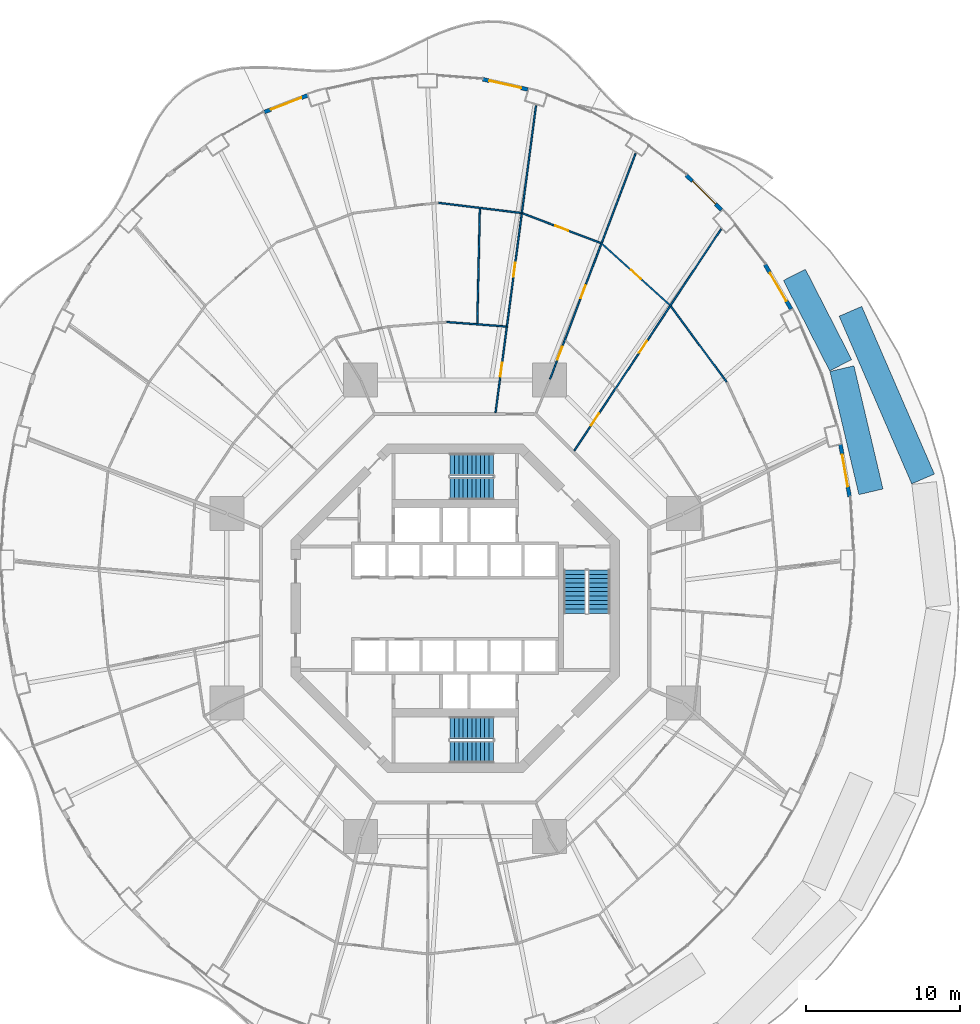
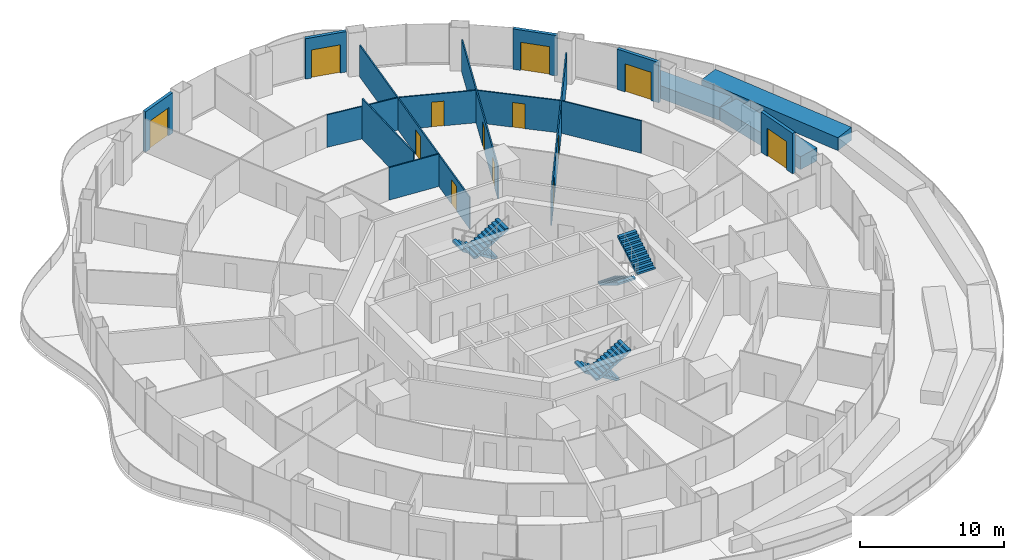
# One storey, part 19 of 22: 17 walls, 13 doors, 6 stair flights, 13 openings, 3 elements without a shape of their own.
"""IFC4 building model written with IfcOpenShell, lengths in metres."""

from ifc_helpers import new_model, si_unit, direction, frame, frame_2d, origin, place, context, subcontext, project, spatial, polyline, rectangle, outline, extrude, material, layer, layer_set, type_object, element, fill, aggregate, save


model = new_model("IFC4")

# Units and contexts
model_context = context("Model", 3, precision=1e-05, world=origin(), true_north=direction((0.0, 1.0)))
body_context = subcontext(model_context, "Body", "Model", "MODEL_VIEW")
ifc_project = project(units=[si_unit("LENGTHUNIT", "METRE"), si_unit("AREAUNIT", "SQUARE_METRE"), si_unit("VOLUMEUNIT", "CUBIC_METRE"), si_unit("PLANEANGLEUNIT", "RADIAN"), si_unit("MASSUNIT", "GRAM", prefix="KILO")], contexts=[model_context])

# Site, building, storey
site_placement = place(None, origin())
site = spatial("IfcSite", under=ifc_project, at=site_placement, CompositionType="ELEMENT")
building_placement = place(site_placement, origin())
building = spatial("IfcBuilding", under=site, at=building_placement, Name="Nagisa Residences", CompositionType="ELEMENT")
storey_placement = place(building_placement, frame((0.0, 0.0, 73.300048828125)))
storey = spatial("IfcBuildingStorey", under=building, at=storey_placement, Name="L17", CompositionType="ELEMENT", Elevation=73.300048828125)

# Wall
ifc_material_1 = material(Name="Gypsum board on steel studs", Category="steel")
ifc_layer_1 = layer(ifc_material_1, 0.10009765625)
ifc_layer_set_1 = layer_set([ifc_layer_1], Name="Apartment partition 100")
wall_type_1 = type_object("IfcWallType", Name="Apartment partition 100", PredefinedType="PARTITIONING", material=ifc_layer_set_1)
wall_1_placement = place(storey_placement, frame((17.567138671875, 14.65283203125, 0.0), z_axis=(0.0, 0.0, 1.0), x_axis=(-0.592391983588, 0.80564988536, 0.0)))
element("IfcWall", 1, at=wall_1_placement, inside=storey, type_object=wall_type_1, Name="wall:L17:u24", PredefinedType="PARTITIONING", context=body_context, shape_type="SweptSolid", body=[
    extrude(rectangle(XDim=6.080078125, YDim=0.10009765625, at=frame_2d((3.0400390625, 0.0))), origin(), (0.0, 0.0, 1.0), 2.761962890625),
])

# Wall, openings, doors
wall_2_placement = place(storey_placement, frame((7.713134765625, 10.19482421875, 0.0), z_axis=(0.0, 0.0, 1.0), x_axis=(0.552111071171, 0.833770571015, 0.0)))
wall_2 = element("IfcWall", 2, at=wall_2_placement, inside=storey, type_object=wall_type_1, Name="wall:L17:u25", PredefinedType="PARTITIONING", context=body_context, shape_type="SweptSolid", body=[
    extrude(rectangle(XDim=17.20849609375, YDim=0.10009765625, at=frame_2d((8.604248046875, 0.0))), origin(), (0.0, 0.0, 1.0), 2.68701171875),
])
opening_1_placement = place(wall_2_placement, frame((1.975830078125, 0.0, 0.0)))
opening_1 = element("IfcOpeningElement", 3, at=opening_1_placement, cuts=wall_2, Name="Opening L17-U19", PredefinedType="OPENING", context=body_context, shape_type="SweptSolid", body=[
    extrude(rectangle(XDim=0.89990234375, YDim=2.10009765625, at=frame_2d((0.449951171875, 1.050048828125))), frame((0.0, 0.06005859375, 0.0), z_axis=(0.0, -1.0, 0.0), x_axis=(1.0, 0.0, 0.0)), (0.0, 0.0, 1.0), 0.1201171875),
])
opening_2_placement = place(wall_2_placement, frame((7.611083984375, 0.0, 0.0)))
opening_2 = element("IfcOpeningElement", 4, at=opening_2_placement, cuts=wall_2, Name="Opening L17-U20", PredefinedType="OPENING", context=body_context, shape_type="SweptSolid", body=[
    extrude(rectangle(XDim=0.89990234375, YDim=2.10009765625, at=frame_2d((0.449951171875, 1.050048828125))), frame((0.0, 0.06005859375, 0.0), z_axis=(0.0, -1.0, 0.0), x_axis=(1.0, 0.0, 0.0)), (0.0, 0.0, 1.0), 0.1201171875),
])
ifc_material_2 = material(Name="Timber door set", Category="wood")
door_type_1 = type_object("IfcDoorType", Name="Apartment door 900x2100", OperationType="NOTDEFINED", PredefinedType="DOOR", material=ifc_material_2)
door_1_placement = place(opening_1_placement, frame((0.89990234375, 0.0, 0.0), x_axis=(-1.0, 0.0, 0.0)))
door_1 = element("IfcDoor", 5, at=door_1_placement, inside=storey, type_object=door_type_1, Name="Door to laundry, Apartment 17A", OperationType="SINGLE_SWING_RIGHT", OverallHeight=2.10009765625, OverallWidth=0.89990234375, PredefinedType="DOOR", context=body_context, shape_type="SweptSolid", body=[
    extrude(rectangle(XDim=0.89990234375, YDim=2.10009765625, at=frame_2d((0.449951171875, 1.050048828125))), frame((0.0, 0.02490234375, 0.0), z_axis=(0.0, -1.0, 0.0), x_axis=(1.0, 0.0, 0.0)), (0.0, 0.0, 1.0), 0.050048828125),
])
fill(opening_1, door_1)
door_2_placement = place(opening_2_placement, frame((0.89990234375, 0.0, 0.0), x_axis=(-1.0, 0.0, 0.0)))
door_2 = element("IfcDoor", 6, at=door_2_placement, inside=storey, type_object=door_type_1, Name="Door to dining room, Apartment 17A", OperationType="SINGLE_SWING_LEFT", OverallHeight=2.10009765625, OverallWidth=0.89990234375, PredefinedType="DOOR", context=body_context, shape_type="SweptSolid", body=[
    extrude(rectangle(XDim=0.89990234375, YDim=2.10009765625, at=frame_2d((0.449951171875, 1.050048828125))), frame((0.0, 0.02490234375, 0.0), z_axis=(0.0, -1.0, 0.0), x_axis=(1.0, 0.0, 0.0)), (0.0, 0.0, 1.0), 0.050048828125),
])
fill(opening_2, door_2)

# Wall, opening, door
wall_3_placement = place(storey_placement, frame((13.8984375, 19.625244140625, 0.0), z_axis=(0.0, 0.0, 1.0), x_axis=(-0.742400132046, 0.669956747812, 0.0)))
wall_3 = element("IfcWall", 7, at=wall_3_placement, inside=storey, type_object=wall_type_1, Name="wall:L17:u27", PredefinedType="PARTITIONING", context=body_context, shape_type="SweptSolid", body=[
    extrude(rectangle(XDim=5.9111328125, YDim=0.10009765625, at=frame_2d((2.95556640625, 0.0))), origin(), (0.0, 0.0, 1.0), 2.761962890625),
])
opening_3_placement = place(wall_3_placement, frame((2.505615234375, 0.0, 0.0)))
opening_3 = element("IfcOpeningElement", 8, at=opening_3_placement, cuts=wall_3, Name="Opening L17-U12", PredefinedType="OPENING", context=body_context, shape_type="SweptSolid", body=[
    extrude(rectangle(XDim=0.89990234375, YDim=2.10009765625, at=frame_2d((0.449951171875, 1.050048828125))), frame((0.0, 0.06005859375, 0.0), z_axis=(0.0, -1.0, 0.0), x_axis=(1.0, 0.0, 0.0)), (0.0, 0.0, 1.0), 0.1201171875),
])
door_3_placement = place(opening_3_placement, frame((0.89990234375, 0.0, 0.0), x_axis=(-1.0, 0.0, 0.0)))
door_3 = element("IfcDoor", 9, at=door_3_placement, inside=storey, type_object=door_type_1, Name="Door to master bedroom, Apartment 17A", OperationType="SINGLE_SWING_LEFT", OverallHeight=2.10009765625, OverallWidth=0.89990234375, PredefinedType="DOOR", context=body_context, shape_type="SweptSolid", body=[
    extrude(rectangle(XDim=0.89990234375, YDim=2.10009765625, at=frame_2d((0.449951171875, 1.050048828125))), frame((0.0, 0.02490234375, 0.0), z_axis=(0.0, -1.0, 0.0), x_axis=(1.0, 0.0, 0.0)), (0.0, 0.0, 1.0), 0.050048828125),
])
fill(opening_3, door_3)

# Wall, openings, doors
wall_4_placement = place(storey_placement, frame((6.140625, 14.828857421875, 0.0), z_axis=(0.0, 0.0, 1.0), x_axis=(0.354477134193, 0.935064682968, 0.0)))
wall_4 = element("IfcWall", 10, at=wall_4_placement, inside=storey, type_object=wall_type_1, Name="wall:L17:u29", PredefinedType="PARTITIONING", context=body_context, shape_type="SweptSolid", body=[
    extrude(rectangle(XDim=15.6259765625, YDim=0.10009765625, at=frame_2d((7.81298828125, 0.0))), origin(), (0.0, 0.0, 1.0), 2.761962890625),
])
opening_4_placement = place(wall_4_placement, frame((1.349609375, 0.0, 0.0)))
opening_4 = element("IfcOpeningElement", 11, at=opening_4_placement, cuts=wall_4, Name="Opening L17-U02", PredefinedType="OPENING", context=body_context, shape_type="SweptSolid", body=[
    extrude(rectangle(XDim=0.89990234375, YDim=2.10009765625, at=frame_2d((0.449951171875, 1.050048828125))), frame((0.0, 0.06005859375, 0.0), z_axis=(0.0, -1.0, 0.0), x_axis=(1.0, 0.0, 0.0)), (0.0, 0.0, 1.0), 0.1201171875),
])
opening_5_placement = place(wall_4_placement, frame((5.605712890625, 0.0, 0.0)))
opening_5 = element("IfcOpeningElement", 12, at=opening_5_placement, cuts=wall_4, Name="Opening L17-U07", PredefinedType="OPENING", context=body_context, shape_type="SweptSolid", body=[
    extrude(rectangle(XDim=0.89990234375, YDim=2.10009765625, at=frame_2d((0.449951171875, 1.050048828125))), frame((0.0, 0.06005859375, 0.0), z_axis=(0.0, -1.0, 0.0), x_axis=(1.0, 0.0, 0.0)), (0.0, 0.0, 1.0), 0.1201171875),
])
door_4_placement = place(opening_4_placement, frame((0.89990234375, 0.0, 0.0), x_axis=(-1.0, 0.0, 0.0)))
door_4 = element("IfcDoor", 13, at=door_4_placement, inside=storey, type_object=door_type_1, Name="Door to family bathroom, Apartment 17A", OperationType="SINGLE_SWING_LEFT", OverallHeight=2.10009765625, OverallWidth=0.89990234375, PredefinedType="DOOR", context=body_context, shape_type="SweptSolid", body=[
    extrude(rectangle(XDim=0.89990234375, YDim=2.10009765625, at=frame_2d((0.449951171875, 1.050048828125))), frame((0.0, 0.02490234375, 0.0), z_axis=(0.0, -1.0, 0.0), x_axis=(1.0, 0.0, 0.0)), (0.0, 0.0, 1.0), 0.050048828125),
])
fill(opening_4, door_4)
door_5_placement = place(opening_5_placement, frame((0.89990234375, 0.0, 0.0), x_axis=(-1.0, 0.0, 0.0)))
door_5 = element("IfcDoor", 14, at=door_5_placement, inside=storey, type_object=door_type_1, Name="Door to kitchen, Apartment 17A", OperationType="SINGLE_SWING_RIGHT", OverallHeight=2.10009765625, OverallWidth=0.89990234375, PredefinedType="DOOR", context=body_context, shape_type="SweptSolid", body=[
    extrude(rectangle(XDim=0.89990234375, YDim=2.10009765625, at=frame_2d((0.449951171875, 1.050048828125))), frame((0.0, 0.02490234375, 0.0), z_axis=(0.0, -1.0, 0.0), x_axis=(1.0, 0.0, 0.0)), (0.0, 0.0, 1.0), 0.050048828125),
])
fill(opening_5, door_5)

# Wall, opening, door
wall_5_placement = place(storey_placement, frame((9.42626953125, 23.63671875, 0.0), z_axis=(0.0, 0.0, 1.0), x_axis=(-0.93461405629, 0.355663557011, 0.0)))
wall_5 = element("IfcWall", 15, at=wall_5_placement, inside=storey, type_object=wall_type_1, Name="wall:L17:u30", PredefinedType="PARTITIONING", context=body_context, shape_type="SweptSolid", body=[
    extrude(rectangle(XDim=5.416748046875, YDim=0.10009765625, at=frame_2d((2.70849609375, 0.0))), origin(), (0.0, 0.0, 1.0), 2.761962890625),
])
opening_6_placement = place(wall_5_placement, frame((2.25830078125, 0.0, 0.0)))
opening_6 = element("IfcOpeningElement", 16, at=opening_6_placement, cuts=wall_5, Name="Opening L17-U13", PredefinedType="OPENING", context=body_context, shape_type="SweptSolid", body=[
    extrude(rectangle(XDim=0.89990234375, YDim=2.10009765625, at=frame_2d((0.449951171875, 1.050048828125))), frame((0.0, 0.06005859375, 0.0), z_axis=(0.0, -1.0, 0.0), x_axis=(1.0, 0.0, 0.0)), (0.0, 0.0, 1.0), 0.1201171875),
])
door_6_placement = place(opening_6_placement, frame((0.89990234375, 0.0, 0.0), x_axis=(-1.0, 0.0, 0.0)))
door_6 = element("IfcDoor", 17, at=door_6_placement, inside=storey, type_object=door_type_1, Name="Door to family room, Apartment 17A", OperationType="SINGLE_SWING_RIGHT", OverallHeight=2.10009765625, OverallWidth=0.89990234375, PredefinedType="DOOR", context=body_context, shape_type="SweptSolid", body=[
    extrude(rectangle(XDim=0.89990234375, YDim=2.10009765625, at=frame_2d((0.449951171875, 1.050048828125))), frame((0.0, 0.02490234375, 0.0), z_axis=(0.0, -1.0, 0.0), x_axis=(1.0, 0.0, 0.0)), (0.0, 0.0, 1.0), 0.050048828125),
])
fill(opening_6, door_6)

# Wall, openings, doors
wall_6_placement = place(storey_placement, frame((2.615234375, 12.663818359375, 0.0), z_axis=(0.0, 0.0, 1.0), x_axis=(0.130614967904, 0.99143316979, 0.0)))
wall_6 = element("IfcWall", 18, at=wall_6_placement, inside=storey, type_object=wall_type_1, Name="wall:L17:u31", PredefinedType="PARTITIONING", context=body_context, shape_type="SweptSolid", body=[
    extrude(rectangle(XDim=20.03369140625, YDim=0.10009765625, at=frame_2d((10.016845703125, 0.0))), origin(), (0.0, 0.0, 1.0), 2.68701171875),
])
opening_7_placement = place(wall_6_placement, frame((2.358642578125, 0.0, 0.0)))
opening_7 = element("IfcOpeningElement", 19, at=opening_7_placement, cuts=wall_6, Name="Opening L17-U03", PredefinedType="OPENING", context=body_context, shape_type="SweptSolid", body=[
    extrude(rectangle(XDim=0.89990234375, YDim=2.10009765625, at=frame_2d((0.449951171875, 1.050048828125))), frame((0.0, 0.06005859375, 0.0), z_axis=(0.0, -1.0, 0.0), x_axis=(1.0, 0.0, 0.0)), (0.0, 0.0, 1.0), 0.1201171875),
])
opening_8_placement = place(wall_6_placement, frame((8.873046875, 0.0, 0.0)))
opening_8 = element("IfcOpeningElement", 20, at=opening_8_placement, cuts=wall_6, Name="Opening L17-U08", PredefinedType="OPENING", context=body_context, shape_type="SweptSolid", body=[
    extrude(rectangle(XDim=0.89990234375, YDim=2.10009765625, at=frame_2d((0.449951171875, 1.050048828125))), frame((0.0, 0.06005859375, 0.0), z_axis=(0.0, -1.0, 0.0), x_axis=(1.0, 0.0, 0.0)), (0.0, 0.0, 1.0), 0.1201171875),
])
door_7_placement = place(opening_7_placement, origin())
door_7 = element("IfcDoor", 21, at=door_7_placement, inside=storey, type_object=door_type_1, Name="Door to store, Apartment 17A", OperationType="SINGLE_SWING_LEFT", OverallHeight=2.10009765625, OverallWidth=0.89990234375, PredefinedType="DOOR", context=body_context, shape_type="SweptSolid", body=[
    extrude(rectangle(XDim=0.89990234375, YDim=2.10009765625, at=frame_2d((0.449951171875, 1.050048828125))), frame((0.0, 0.02490234375, 0.0), z_axis=(0.0, -1.0, 0.0), x_axis=(1.0, 0.0, 0.0)), (0.0, 0.0, 1.0), 0.050048828125),
])
fill(opening_7, door_7)
door_8_placement = place(opening_8_placement, origin())
door_8 = element("IfcDoor", 22, at=door_8_placement, inside=storey, type_object=door_type_1, Name="Door to family bathroom, Apartment 17A", OperationType="SINGLE_SWING_RIGHT", OverallHeight=2.10009765625, OverallWidth=0.89990234375, PredefinedType="DOOR", context=body_context, shape_type="SweptSolid", body=[
    extrude(rectangle(XDim=0.89990234375, YDim=2.10009765625, at=frame_2d((0.449951171875, 1.050048828125))), frame((0.0, 0.02490234375, 0.0), z_axis=(0.0, -1.0, 0.0), x_axis=(1.0, 0.0, 0.0)), (0.0, 0.0, 1.0), 0.050048828125),
])
fill(opening_8, door_8)

# Walls
wall_7_placement = place(storey_placement, frame((3.299072265625, 18.23681640625, 0.0), z_axis=(0.0, 0.0, 1.0), x_axis=(-0.997152243414, 0.075414875552, 0.0)))
element("IfcWall", 23, at=wall_7_placement, inside=storey, type_object=wall_type_1, Name="wall:L17:u32", PredefinedType="PARTITIONING", context=body_context, shape_type="SweptSolid", body=[
    extrude(rectangle(XDim=3.845947265625, YDim=0.10009765625, at=frame_2d((1.9228515625, 0.0))), origin(), (0.0, 0.0, 1.0), 2.761962890625),
])
wall_8_placement = place(storey_placement, frame((4.267333984375, 25.587158203125, 0.0), z_axis=(0.0, 0.0, 1.0), x_axis=(-0.992576206119, 0.121624319302, 0.0)))
element("IfcWall", 24, at=wall_8_placement, inside=storey, type_object=wall_type_1, Name="wall:L17:u33", PredefinedType="PARTITIONING", context=body_context, shape_type="SweptSolid", body=[
    extrude(rectangle(XDim=5.37353515625, YDim=0.10009765625, at=frame_2d((2.686767578125, 0.0))), origin(), (0.0, 0.0, 1.0), 2.761962890625),
])
wall_9_placement = place(storey_placement, frame((1.4326171875, 18.42822265625, 0.0), z_axis=(0.0, 0.0, 1.0), x_axis=(0.022419421812, 0.999748653175, 0.0)))
element("IfcWall", 25, at=wall_9_placement, inside=storey, type_object=wall_type_1, Name="wall:L17:u34", PredefinedType="PARTITIONING", context=body_context, shape_type="SweptSolid", body=[
    extrude(rectangle(XDim=7.437744140625, YDim=0.10009765625, at=frame_2d((3.71875, 0.0))), origin(), (0.0, 0.0, 1.0), 3.43994140625),
])

# Wall, opening, door
ifc_material_3 = material(Name="Precast concrete C40/50", Category="concrete")
ifc_layer_2 = layer(ifc_material_3, 0.25)
ifc_layer_set_2 = layer_set([ifc_layer_2], Name="BALCONY DOOR WALL 250")
wall_type_2 = type_object("IfcWallType", Name="BALCONY DOOR WALL 250", PredefinedType="SOLIDWALL", material=ifc_layer_set_2)
wall_10_placement = place(storey_placement, frame((24.940185546875, 10.612548828125, 0.0), z_axis=(0.0, 0.0, 1.0), x_axis=(0.172164316671, -0.985068245385, 0.0)))
wall_10 = element("IfcWall", 26, at=wall_10_placement, inside=storey, type_object=wall_type_2, Name="wall:L17:bay01", PredefinedType="SOLIDWALL", context=body_context, shape_type="SweptSolid", body=[
    extrude(rectangle(XDim=3.454345703125, YDim=0.25, at=frame_2d((1.72705078125, 0.0))), origin(), (0.0, 0.0, 1.0), 3.43994140625),
])
opening_9_placement = place(wall_10_placement, frame((0.67724609375, 0.0, 0.0)))
opening_9 = element("IfcOpeningElement", 27, at=opening_9_placement, cuts=wall_10, Name="Opening BD-L17-01", PredefinedType="OPENING", context=body_context, shape_type="SweptSolid", body=[
    extrude(rectangle(XDim=2.10009765625, YDim=2.39990234375, at=frame_2d((1.050048828125, 1.199951171875))), frame((0.0, 0.135009765625, 0.0), z_axis=(0.0, -1.0, 0.0), x_axis=(1.0, 0.0, 0.0)), (0.0, 0.0, 1.0), 0.27001953125),
])
ifc_material_4 = material(Name="Aluminium and clear glass", Category="aluminium")
door_type_2 = type_object("IfcDoorType", Name="BALCONY SLIDING DOOR 2100x2400", OperationType="SLIDING_TO_LEFT", PredefinedType="DOOR", material=ifc_material_4)
door_9_placement = place(opening_9_placement, origin())
door_9 = element("IfcDoor", 28, at=door_9_placement, inside=storey, type_object=door_type_2, Name="door:L17:bay01", OperationType="SLIDING_TO_LEFT", OverallHeight=2.39990234375, OverallWidth=2.10009765625, PredefinedType="DOOR", context=body_context, shape_type="SweptSolid", body=[
    extrude(rectangle(XDim=2.10009765625, YDim=2.39990234375, at=frame_2d((1.050048828125, 1.199951171875))), frame((0.0, 0.02490234375, 0.0), z_axis=(0.0, -1.0, 0.0), x_axis=(1.0, 0.0, 0.0)), (0.0, 0.0, 1.0), 0.050048828125),
])
fill(opening_9, door_9)

wall_11_placement = place(storey_placement, frame((20.064208984375, 22.239501953125, 0.0), z_axis=(0.0, 0.0, 1.0), x_axis=(0.506297921217, -0.862358634775, 0.0)))
wall_11 = element("IfcWall", 29, at=wall_11_placement, inside=storey, type_object=wall_type_2, Name="wall:L17:bay04", PredefinedType="SOLIDWALL", context=body_context, shape_type="SweptSolid", body=[
    extrude(rectangle(XDim=3.32470703125, YDim=0.25, at=frame_2d((1.662353515625, 0.0))), origin(), (0.0, 0.0, 1.0), 3.43994140625),
])
opening_10_placement = place(wall_11_placement, frame((0.6123046875, 0.0, 0.0)))
opening_10 = element("IfcOpeningElement", 30, at=opening_10_placement, cuts=wall_11, Name="Opening BD-L17-02", PredefinedType="OPENING", context=body_context, shape_type="SweptSolid", body=[
    extrude(rectangle(XDim=2.10009765625, YDim=2.39990234375, at=frame_2d((1.050048828125, 1.199951171875))), frame((0.0, 0.135009765625, 0.0), z_axis=(0.0, -1.0, 0.0), x_axis=(1.0, 0.0, 0.0)), (0.0, 0.0, 1.0), 0.27001953125),
])
door_10_placement = place(opening_10_placement, origin())
door_10 = element("IfcDoor", 31, at=door_10_placement, inside=storey, type_object=door_type_2, Name="door:L17:bay04", OperationType="SLIDING_TO_LEFT", OverallHeight=2.39990234375, OverallWidth=2.10009765625, PredefinedType="DOOR", context=body_context, shape_type="SweptSolid", body=[
    extrude(rectangle(XDim=2.10009765625, YDim=2.39990234375, at=frame_2d((1.050048828125, 1.199951171875))), frame((0.0, 0.02490234375, 0.0), z_axis=(0.0, -1.0, 0.0), x_axis=(1.0, 0.0, 0.0)), (0.0, 0.0, 1.0), 0.050048828125),
])
fill(opening_10, door_10)

wall_12_placement = place(storey_placement, frame((14.971435546875, 28.03173828125, 0.0), z_axis=(0.0, 0.0, 1.0), x_axis=(0.707793551437, -0.706419343269, 0.0)))
wall_12 = element("IfcWall", 32, at=wall_12_placement, inside=storey, type_object=wall_type_2, Name="wall:L17:bay06", PredefinedType="SOLIDWALL", context=body_context, shape_type="SweptSolid", body=[
    extrude(rectangle(XDim=3.19775390625, YDim=0.25, at=frame_2d((1.598876953125, 0.0))), origin(), (0.0, 0.0, 1.0), 3.43994140625),
])
opening_11_placement = place(wall_12_placement, frame((0.548828125, 0.0, 0.0)))
opening_11 = element("IfcOpeningElement", 33, at=opening_11_placement, cuts=wall_12, Name="Opening BD-L17-03", PredefinedType="OPENING", context=body_context, shape_type="SweptSolid", body=[
    extrude(rectangle(XDim=2.10009765625, YDim=2.39990234375, at=frame_2d((1.050048828125, 1.199951171875))), frame((0.0, 0.135009765625, 0.0), z_axis=(0.0, -1.0, 0.0), x_axis=(1.0, 0.0, 0.0)), (0.0, 0.0, 1.0), 0.27001953125),
])
door_11_placement = place(opening_11_placement, origin())
door_11 = element("IfcDoor", 34, at=door_11_placement, inside=storey, type_object=door_type_2, Name="door:L17:bay06", OperationType="SLIDING_TO_LEFT", OverallHeight=2.39990234375, OverallWidth=2.10009765625, PredefinedType="DOOR", context=body_context, shape_type="SweptSolid", body=[
    extrude(rectangle(XDim=2.10009765625, YDim=2.39990234375, at=frame_2d((1.050048828125, 1.199951171875))), frame((0.0, 0.02490234375, 0.0), z_axis=(0.0, -1.0, 0.0), x_axis=(1.0, 0.0, 0.0)), (0.0, 0.0, 1.0), 0.050048828125),
])
fill(opening_11, door_11)

wall_13_placement = place(storey_placement, frame((1.787353515625, 34.2412109375, 0.0), z_axis=(0.0, 0.0, 1.0), x_axis=(0.975317607872, -0.220806620767, 0.0)))
wall_13 = element("IfcWall", 35, at=wall_13_placement, inside=storey, type_object=wall_type_2, Name="wall:L17:bay10", PredefinedType="SOLIDWALL", context=body_context, shape_type="SweptSolid", body=[
    extrude(rectangle(XDim=2.9931640625, YDim=0.25, at=frame_2d((1.49658203125, 0.0))), origin(), (0.0, 0.0, 1.0), 3.43994140625),
])
opening_12_placement = place(wall_13_placement, frame((0.446533203125, 0.0, 0.0)))
opening_12 = element("IfcOpeningElement", 36, at=opening_12_placement, cuts=wall_13, Name="Opening BD-L17-04", PredefinedType="OPENING", context=body_context, shape_type="SweptSolid", body=[
    extrude(rectangle(XDim=2.10009765625, YDim=2.39990234375, at=frame_2d((1.050048828125, 1.199951171875))), frame((0.0, 0.135009765625, 0.0), z_axis=(0.0, -1.0, 0.0), x_axis=(1.0, 0.0, 0.0)), (0.0, 0.0, 1.0), 0.27001953125),
])
door_12_placement = place(opening_12_placement, origin())
door_12 = element("IfcDoor", 37, at=door_12_placement, inside=storey, type_object=door_type_2, Name="door:L17:bay10", OperationType="SLIDING_TO_LEFT", OverallHeight=2.39990234375, OverallWidth=2.10009765625, PredefinedType="DOOR", context=body_context, shape_type="SweptSolid", body=[
    extrude(rectangle(XDim=2.10009765625, YDim=2.39990234375, at=frame_2d((1.050048828125, 1.199951171875))), frame((0.0, 0.02490234375, 0.0), z_axis=(0.0, -1.0, 0.0), x_axis=(1.0, 0.0, 0.0)), (0.0, 0.0, 1.0), 0.050048828125),
])
fill(opening_12, door_12)

wall_14_placement = place(storey_placement, frame((-12.353271484375, 32.1171875, 0.0), z_axis=(0.0, 0.0, 1.0), x_axis=(0.932827091302, 0.360324322982, 0.0)))
wall_14 = element("IfcWall", 38, at=wall_14_placement, inside=storey, type_object=wall_type_2, Name="wall:L17:bay14", PredefinedType="SOLIDWALL", context=body_context, shape_type="SweptSolid", body=[
    extrude(rectangle(XDim=3.02734375, YDim=0.25, at=frame_2d((1.513671875, 0.0))), origin(), (0.0, 0.0, 1.0), 3.43994140625),
])
opening_13_placement = place(wall_14_placement, frame((0.463623046875, 0.0, 0.0)))
opening_13 = element("IfcOpeningElement", 39, at=opening_13_placement, cuts=wall_14, Name="Opening BD-L17-05", PredefinedType="OPENING", context=body_context, shape_type="SweptSolid", body=[
    extrude(rectangle(XDim=2.10009765625, YDim=2.39990234375, at=frame_2d((1.050048828125, 1.199951171875))), frame((0.0, 0.135009765625, 0.0), z_axis=(0.0, -1.0, 0.0), x_axis=(1.0, 0.0, 0.0)), (0.0, 0.0, 1.0), 0.27001953125),
])
door_13_placement = place(opening_13_placement, origin())
door_13 = element("IfcDoor", 40, at=door_13_placement, inside=storey, type_object=door_type_2, Name="door:L17:bay14", OperationType="SLIDING_TO_LEFT", OverallHeight=2.39990234375, OverallWidth=2.10009765625, PredefinedType="DOOR", context=body_context, shape_type="SweptSolid", body=[
    extrude(rectangle(XDim=2.10009765625, YDim=2.39990234375, at=frame_2d((1.050048828125, 1.199951171875))), frame((0.0, 0.02490234375, 0.0), z_axis=(0.0, -1.0, 0.0), x_axis=(1.0, 0.0, 0.0)), (0.0, 0.0, 1.0), 0.050048828125),
])
fill(opening_13, door_13)

# Walls
ifc_material_5 = material(Name="Precast concrete C30/37", Category="concrete")
ifc_layer_3 = layer(ifc_material_5, 1.60009765625)
ifc_layer_set_3 = layer_set([ifc_layer_3], Name="PLANTER")
wall_type_3 = type_object("IfcWallType", Name="PLANTER", PredefinedType="SOLIDWALL", material=ifc_layer_set_3)
wall_15_placement = place(storey_placement, frame((24.95703125, 15.72802734375, 0.0), z_axis=(0.0, 0.0, 1.0), x_axis=(-0.45556816318, 0.890200903559, 0.0)))
element("IfcWall", 41, at=wall_15_placement, inside=storey, type_object=wall_type_3, Name="planter:L17:garden006", PredefinedType="SOLIDWALL", context=body_context, shape_type="SweptSolid", body=[
    extrude(rectangle(XDim=6.5771484375, YDim=1.60009765625, at=frame_2d((3.28857421875, 0.0))), origin(), (0.0, 0.0, 1.0), 1.099853515625),
])
wall_16_placement = place(storey_placement, frame((25.587890625, 19.22119140625, 0.0), z_axis=(0.0, 0.0, 1.0), x_axis=(0.397526330852, -0.917590767325, 0.0)))
element("IfcWall", 42, at=wall_16_placement, inside=storey, type_object=wall_type_3, Name="planter:L17:garden008", PredefinedType="SOLIDWALL", context=body_context, shape_type="SweptSolid", body=[
    extrude(rectangle(XDim=11.82666015625, YDim=1.60009765625, at=frame_2d((5.913330078125, 0.0))), origin(), (0.0, 0.0, 1.0), 1.099853515625),
])
wall_17_placement = place(storey_placement, frame((26.914794921875, 7.536865234375, 0.0), z_axis=(0.0, 0.0, 1.0), x_axis=(-0.229208785171, 0.973377281839, 0.0)))
element("IfcWall", 43, at=wall_17_placement, inside=storey, type_object=wall_type_3, Name="planter:L17:garden009", PredefinedType="SOLIDWALL", context=body_context, shape_type="SweptSolid", body=[
    extrude(rectangle(XDim=8.19091796875, YDim=1.60009765625, at=frame_2d((4.095458984375, 0.0))), origin(), (0.0, 0.0, 1.0), 1.099853515625),
])

# Stair, stair flights
ifc_material_6 = material(Name="Concrete C60", Category="concrete")
stair_type = type_object("IfcStairType", Name="Exit stair", PredefinedType="HALF_TURN_STAIR", material=ifc_material_6)
stair_1_placement = place(storey_placement, origin())
stair_1 = element("IfcStair", 44, at=stair_1_placement, inside=storey, type_object=stair_type, Name="L17 Exit stair E", PredefinedType="HALF_TURN_STAIR")
ifc_material_7 = material(Name="Concrete C60", Category="concrete")
stair_flight_type = type_object("IfcStairFlightType", Name="Exit stair flight", PredefinedType="STRAIGHT", material=ifc_material_7)
stair_flight_1_placement = place(storey_placement, frame((7.737060546875, 2.47509765625, 0.0), z_axis=(0.0, 0.0, 1.0), x_axis=(0.0, -1.0, 0.0)))
stair_flight_1 = element("IfcStairFlight", 45, at=stair_flight_1_placement, type_object=stair_flight_type, Name="ST-E flight 1", NumberOfRisers=11, NumberOfTreads=10, PredefinedType="STRAIGHT", RiserHeight=0.168181818, TreadLength=0.28, context=body_context, shape_type="SweptSolid", body=[
    extrude(outline(polyline([(0.0, 0.0), (0.0, 0.168212890625), (0.280029296875, 0.168212890625), (0.280029296875, 0.33642578125), (0.56005859375, 0.33642578125), (0.56005859375, 0.504638671875), (0.840087890625, 0.504638671875), (0.840087890625, 0.672607421875), (1.1201171875, 0.672607421875), (1.1201171875, 0.8408203125), (1.39990234375, 0.8408203125), (1.39990234375, 1.009033203125), (1.679931640625, 1.009033203125), (1.679931640625, 1.17724609375), (1.9599609375, 1.17724609375), (1.9599609375, 1.345458984375), (2.239990234375, 1.345458984375), (2.239990234375, 1.513671875), (2.52001953125, 1.513671875), (2.52001953125, 1.681884765625), (2.800048828125, 1.681884765625), (2.800048828125, 1.85009765625), (2.800048828125, 1.5068359375), (0.291015625, 0.0), (0.0, 0.0)])), frame((0.0, 0.71240234375, 0.0), z_axis=(0.0, -1.0, 0.0), x_axis=(1.0, 0.0, 0.0)), (0.0, 0.0, 1.0), 1.425048828125),
])
stair_flight_2_placement = place(storey_placement, frame((9.31201171875, -0.324951171875, 1.849853515625), z_axis=(0.0, 0.0, 1.0), x_axis=(0.0, 1.0, 0.0)))
stair_flight_2 = element("IfcStairFlight", 46, at=stair_flight_2_placement, type_object=stair_flight_type, Name="ST-E flight 2", NumberOfRisers=11, NumberOfTreads=10, PredefinedType="STRAIGHT", RiserHeight=0.168181818, TreadLength=0.28, context=body_context, shape_type="SweptSolid", body=[
    extrude(outline(polyline([(0.0, 0.0), (0.0, 0.168212890625), (0.280029296875, 0.168212890625), (0.280029296875, 0.33642578125), (0.56005859375, 0.33642578125), (0.56005859375, 0.504638671875), (0.840087890625, 0.504638671875), (0.840087890625, 0.672607421875), (1.1201171875, 0.672607421875), (1.1201171875, 0.8408203125), (1.39990234375, 0.8408203125), (1.39990234375, 1.009033203125), (1.679931640625, 1.009033203125), (1.679931640625, 1.17724609375), (1.9599609375, 1.17724609375), (1.9599609375, 1.345458984375), (2.239990234375, 1.345458984375), (2.239990234375, 1.513671875), (2.52001953125, 1.513671875), (2.52001953125, 1.681884765625), (2.800048828125, 1.681884765625), (2.800048828125, 1.85009765625), (2.800048828125, 1.5068359375), (0.291015625, 0.0), (0.0, 0.0)])), frame((0.0, 0.71240234375, 0.0), z_axis=(0.0, -1.0, 0.0), x_axis=(1.0, 0.0, 0.0)), (0.0, 0.0, 1.0), 1.425048828125),
])
aggregate(stair_1, [stair_flight_1, stair_flight_2])

stair_2_placement = place(storey_placement, origin())
stair_2 = element("IfcStair", 47, at=stair_2_placement, inside=storey, type_object=stair_type, Name="L17 Exit stair N", PredefinedType="HALF_TURN_STAIR")
stair_flight_3_placement = place(storey_placement, frame((2.47509765625, 9.31201171875, 0.0), z_axis=(0.0, 0.0, 1.0), x_axis=(-1.0, 0.0, 0.0)))
stair_flight_3 = element("IfcStairFlight", 48, at=stair_flight_3_placement, type_object=stair_flight_type, Name="ST-N flight 1", NumberOfRisers=11, NumberOfTreads=10, PredefinedType="STRAIGHT", RiserHeight=0.168181818, TreadLength=0.28, context=body_context, shape_type="SweptSolid", body=[
    extrude(outline(polyline([(0.0, 0.0), (0.0, 0.168212890625), (0.280029296875, 0.168212890625), (0.280029296875, 0.33642578125), (0.56005859375, 0.33642578125), (0.56005859375, 0.504638671875), (0.840087890625, 0.504638671875), (0.840087890625, 0.672607421875), (1.1201171875, 0.672607421875), (1.1201171875, 0.8408203125), (1.39990234375, 0.8408203125), (1.39990234375, 1.009033203125), (1.679931640625, 1.009033203125), (1.679931640625, 1.17724609375), (1.9599609375, 1.17724609375), (1.9599609375, 1.345458984375), (2.239990234375, 1.345458984375), (2.239990234375, 1.513671875), (2.52001953125, 1.513671875), (2.52001953125, 1.681884765625), (2.800048828125, 1.681884765625), (2.800048828125, 1.85009765625), (2.800048828125, 1.5068359375), (0.291015625, 0.0), (0.0, 0.0)])), frame((0.0, 0.71240234375, 0.0), z_axis=(0.0, -1.0, 0.0), x_axis=(1.0, 0.0, 0.0)), (0.0, 0.0, 1.0), 1.425048828125),
])
stair_flight_4_placement = place(storey_placement, frame((-0.324951171875, 7.737060546875, 1.849853515625), z_axis=(0.0, 0.0, 1.0), x_axis=(1.0, 0.0, 0.0)))
stair_flight_4 = element("IfcStairFlight", 49, at=stair_flight_4_placement, type_object=stair_flight_type, Name="ST-N flight 2", NumberOfRisers=11, NumberOfTreads=10, PredefinedType="STRAIGHT", RiserHeight=0.168181818, TreadLength=0.28, context=body_context, shape_type="SweptSolid", body=[
    extrude(outline(polyline([(0.0, 0.0), (0.0, 0.168212890625), (0.280029296875, 0.168212890625), (0.280029296875, 0.33642578125), (0.56005859375, 0.33642578125), (0.56005859375, 0.504638671875), (0.840087890625, 0.504638671875), (0.840087890625, 0.672607421875), (1.1201171875, 0.672607421875), (1.1201171875, 0.8408203125), (1.39990234375, 0.8408203125), (1.39990234375, 1.009033203125), (1.679931640625, 1.009033203125), (1.679931640625, 1.17724609375), (1.9599609375, 1.17724609375), (1.9599609375, 1.345458984375), (2.239990234375, 1.345458984375), (2.239990234375, 1.513671875), (2.52001953125, 1.513671875), (2.52001953125, 1.681884765625), (2.800048828125, 1.681884765625), (2.800048828125, 1.85009765625), (2.800048828125, 1.5068359375), (0.291015625, 0.0), (0.0, 0.0)])), frame((0.0, 0.71240234375, 0.0), z_axis=(0.0, -1.0, 0.0), x_axis=(1.0, 0.0, 0.0)), (0.0, 0.0, 1.0), 1.425048828125),
])
aggregate(stair_2, [stair_flight_3, stair_flight_4])

stair_3_placement = place(storey_placement, origin())
stair_3 = element("IfcStair", 50, at=stair_3_placement, inside=storey, type_object=stair_type, Name="L17 Exit stair S", PredefinedType="HALF_TURN_STAIR")
stair_flight_5_placement = place(storey_placement, frame((2.47509765625, -7.737060546875, 0.0), z_axis=(0.0, 0.0, 1.0), x_axis=(-1.0, 0.0, 0.0)))
stair_flight_5 = element("IfcStairFlight", 51, at=stair_flight_5_placement, type_object=stair_flight_type, Name="ST-S flight 1", NumberOfRisers=11, NumberOfTreads=10, PredefinedType="STRAIGHT", RiserHeight=0.168181818, TreadLength=0.28, context=body_context, shape_type="SweptSolid", body=[
    extrude(outline(polyline([(0.0, 0.0), (0.0, 0.168212890625), (0.280029296875, 0.168212890625), (0.280029296875, 0.33642578125), (0.56005859375, 0.33642578125), (0.56005859375, 0.504638671875), (0.840087890625, 0.504638671875), (0.840087890625, 0.672607421875), (1.1201171875, 0.672607421875), (1.1201171875, 0.8408203125), (1.39990234375, 0.8408203125), (1.39990234375, 1.009033203125), (1.679931640625, 1.009033203125), (1.679931640625, 1.17724609375), (1.9599609375, 1.17724609375), (1.9599609375, 1.345458984375), (2.239990234375, 1.345458984375), (2.239990234375, 1.513671875), (2.52001953125, 1.513671875), (2.52001953125, 1.681884765625), (2.800048828125, 1.681884765625), (2.800048828125, 1.85009765625), (2.800048828125, 1.5068359375), (0.291015625, 0.0), (0.0, 0.0)])), frame((0.0, 0.71240234375, 0.0), z_axis=(0.0, -1.0, 0.0), x_axis=(1.0, 0.0, 0.0)), (0.0, 0.0, 1.0), 1.425048828125),
])
stair_flight_6_placement = place(storey_placement, frame((-0.324951171875, -9.31201171875, 1.849853515625), z_axis=(0.0, 0.0, 1.0), x_axis=(1.0, 0.0, 0.0)))
stair_flight_6 = element("IfcStairFlight", 52, at=stair_flight_6_placement, type_object=stair_flight_type, Name="ST-S flight 2", NumberOfRisers=11, NumberOfTreads=10, PredefinedType="STRAIGHT", RiserHeight=0.168181818, TreadLength=0.28, context=body_context, shape_type="SweptSolid", body=[
    extrude(outline(polyline([(0.0, 0.0), (0.0, 0.168212890625), (0.280029296875, 0.168212890625), (0.280029296875, 0.33642578125), (0.56005859375, 0.33642578125), (0.56005859375, 0.504638671875), (0.840087890625, 0.504638671875), (0.840087890625, 0.672607421875), (1.1201171875, 0.672607421875), (1.1201171875, 0.8408203125), (1.39990234375, 0.8408203125), (1.39990234375, 1.009033203125), (1.679931640625, 1.009033203125), (1.679931640625, 1.17724609375), (1.9599609375, 1.17724609375), (1.9599609375, 1.345458984375), (2.239990234375, 1.345458984375), (2.239990234375, 1.513671875), (2.52001953125, 1.513671875), (2.52001953125, 1.681884765625), (2.800048828125, 1.681884765625), (2.800048828125, 1.85009765625), (2.800048828125, 1.5068359375), (0.291015625, 0.0), (0.0, 0.0)])), frame((0.0, 0.71240234375, 0.0), z_axis=(0.0, -1.0, 0.0), x_axis=(1.0, 0.0, 0.0)), (0.0, 0.0, 1.0), 1.425048828125),
])
aggregate(stair_3, [stair_flight_5, stair_flight_6])

save(model, "model.ifc")
